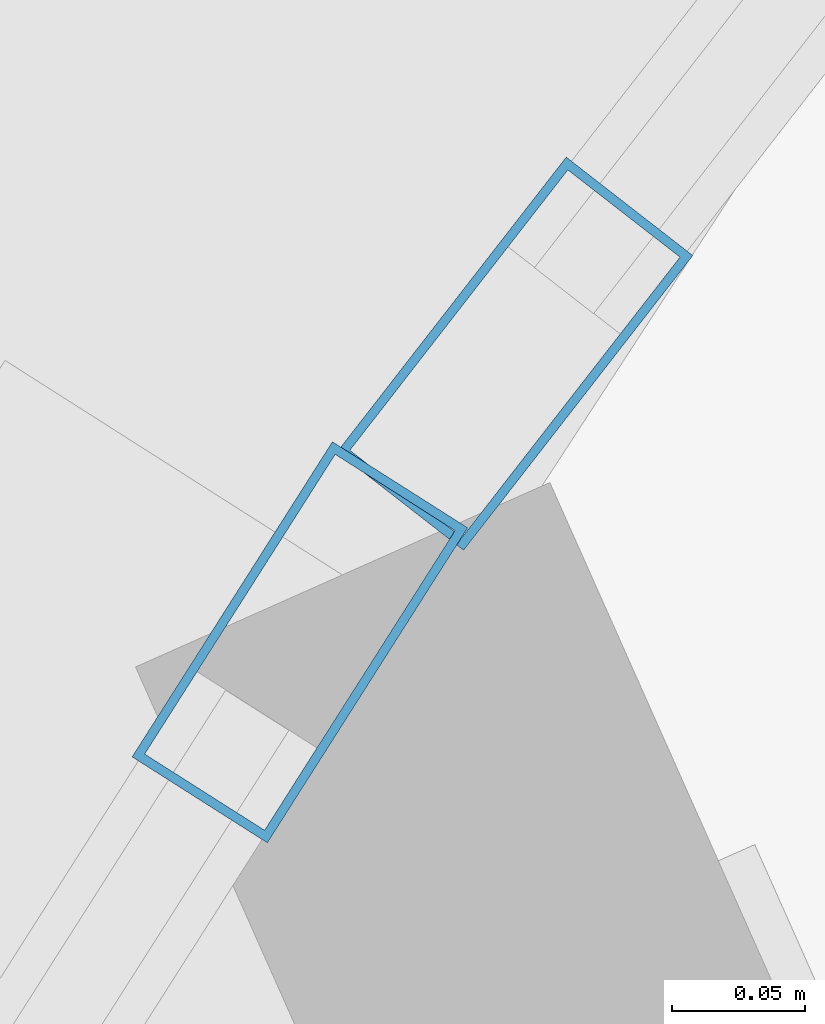
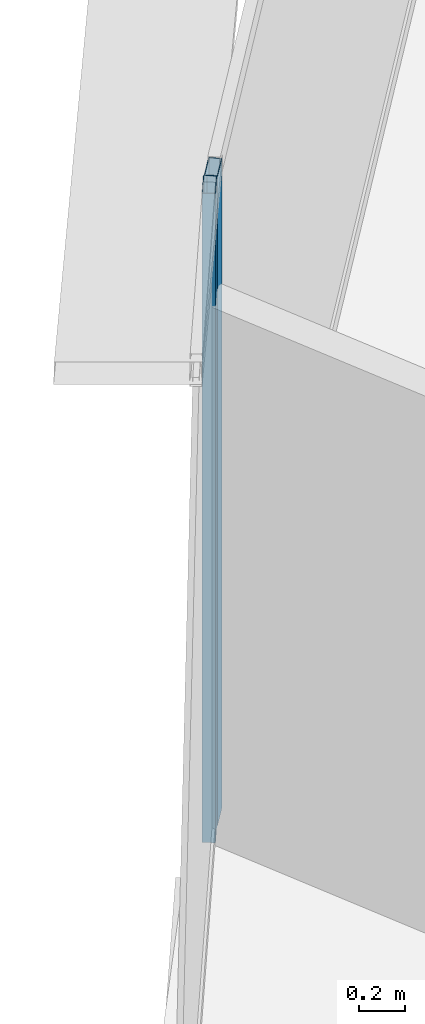
# One storey, part 20 of 33: 2 members, 2 elements without a shape of their own.
"""IFC4 building model written with IfcOpenShell, lengths in metres."""

import ifcopenshell
import ifcopenshell.guid

model = None  # the IFC model being written
_history = None  # IfcOwnerHistory: only IFC2X3 demands one
_inside = {}  # id of a spatial element -> (the spatial element, [elements in it])
_under = {}  # id of a project, library or spatial element -> (it, [spatial elements below it])
_declared = {}  # id of a project -> (the project, [libraries it declares])
_typed = {}  # id of a type object -> (the type object, [elements of that type])
_made_of = {}  # id of a material, layer set ... -> (it, [elements and type objects made of it])


def new_model(schema):
    """Start an empty IFC model of exactly this schema.

    Asked for "IFC4X3", IfcOpenShell would pick the latest addendum, in which some entities
    have other attributes; the version numbers below select the first issue.
    IFC2X3 requires an IfcOwnerHistory on every rooted entity: one is made here for all.
    """
    global model, _history
    if schema == "IFC4X3":
        model = ifcopenshell.file(schema_version=(4, 3, 0, 0))
    else:
        model = ifcopenshell.file(schema=schema)
    _inside.clear()
    _under.clear()
    _declared.clear()
    _typed.clear()
    _made_of.clear()
    _history = None
    if model.schema == "IFC2X3":
        org = make("IfcOrganization", Name="unknown")
        user = make(
            "IfcPersonAndOrganization",
            ThePerson=make("IfcPerson", FamilyName="unknown"),
            TheOrganization=org,
        )
        app = make(
            "IfcApplication",
            ApplicationDeveloper=org,
            Version="unknown",
            ApplicationFullName="unknown",
            ApplicationIdentifier="unknown",
        )
        _history = make(
            "IfcOwnerHistory",
            OwningUser=user,
            OwningApplication=app,
            ChangeAction="ADDED",
            CreationDate=0,
        )
    return model


def make(cls, **values):
    """One entity of the class cls with the attributes given. An attribute that is None is left unset."""
    return model.create_entity(
        cls, **{name: value for name, value in values.items() if value is not None}
    )


def rooted(cls, **values):
    """An entity with a GlobalId (a new one), such as an element, a storey or a relation."""
    return make(cls, GlobalId=ifcopenshell.guid.new(), OwnerHistory=_history, **values)


def si_unit(unit_type, name, prefix=None):
    """IfcSIUnit, for example si_unit("LENGTHUNIT", "METRE", prefix="MILLI")."""
    return make("IfcSIUnit", UnitType=unit_type, Prefix=prefix, Name=name)


def assignment(units):
    """IfcUnitAssignment: the units of a project."""
    return None if units is None else make("IfcUnitAssignment", Units=units)


def point(xyz):
    """IfcCartesianPoint."""
    return None if xyz is None else make("IfcCartesianPoint", Coordinates=xyz)


def direction(xyz):
    """IfcDirection."""
    return None if xyz is None else make("IfcDirection", DirectionRatios=xyz)


def frame(location, z_axis=None, x_axis=None):
    """IfcAxis2Placement3D, a coordinate frame: its origin and axes. An axis left out is left unset."""
    return make(
        "IfcAxis2Placement3D",
        Location=point(location),
        Axis=direction(z_axis),
        RefDirection=direction(x_axis),
    )


def frame_2d(location, x_axis=None):
    """IfcAxis2Placement2D, a coordinate frame in the plane: its origin and x axis."""
    return make(
        "IfcAxis2Placement2D", Location=point(location), RefDirection=direction(x_axis)
    )


def origin():
    """The frame at (0, 0, 0) with its axes left unset."""
    return frame((0.0, 0.0, 0.0))


def origin_2d():
    """The frame at (0, 0) in the plane with its x axis left unset."""
    return frame_2d((0.0, 0.0))


def place(relative_to, where):
    """IfcLocalPlacement: puts the frame where relative to a parent placement (None: the world)."""
    return make(
        "IfcLocalPlacement", PlacementRelTo=relative_to, RelativePlacement=where
    )


def context(
    kind, dimensions, precision=None, world=None, true_north=None, identifier=None
):
    """IfcGeometricRepresentationContext, for example the 3D "Model" context."""
    return make(
        "IfcGeometricRepresentationContext",
        ContextIdentifier=identifier,
        ContextType=kind,
        CoordinateSpaceDimension=dimensions,
        Precision=precision,
        WorldCoordinateSystem=world,
        TrueNorth=true_north,
    )


def subcontext(parent, identifier, kind, view, scale=None):
    """IfcGeometricRepresentationSubContext, for example "Body" below "Model"."""
    return make(
        "IfcGeometricRepresentationSubContext",
        ContextIdentifier=identifier,
        ContextType=kind,
        ParentContext=parent,
        TargetScale=scale,
        TargetView=view,
    )


def project(units=None, contexts=None):
    """IfcProject with its units and contexts."""
    return rooted(
        "IfcProject",
        Name="project",
        RepresentationContexts=contexts,
        UnitsInContext=assignment(units),
    )


def spatial(cls, under=None, at=None, **own):
    """A site, building, storey or space (cls), placed at a placement, below another one or the project."""
    s = rooted(cls, ObjectPlacement=at, **own)
    if under is not None:
        _under.setdefault(under.id(), (under, []))[1].append(s)
    return s


def profile(cls, at=None, kind="AREA", **sizes):
    """A parametric profile (cls). Its sizes go by their IFC names, for example OverallWidth=200.0."""
    return make(cls, ProfileType=kind, Position=at, **sizes)


def hollow_rectangle(**sizes):
    """IfcRectangleHollowProfileDef."""
    return profile("IfcRectangleHollowProfileDef", **sizes)


def extrude(swept, where, along, depth):
    """IfcExtrudedAreaSolid: the profile swept, set in the frame where, extruded along a direction by depth."""
    return make(
        "IfcExtrudedAreaSolid",
        SweptArea=swept,
        Position=where,
        ExtrudedDirection=direction(along),
        Depth=depth,
    )


def shape(context_of_items, identifier, shape_type, items):
    """IfcShapeRepresentation: the items that make up one representation, for example the "Body"."""
    return make(
        "IfcShapeRepresentation",
        ContextOfItems=context_of_items,
        RepresentationIdentifier=identifier,
        RepresentationType=shape_type,
        Items=items,
    )


def source(mapping_origin, context_of_items, identifier, shape_type, items):
    """IfcRepresentationMap: a shape defined once, which mapped items show again and again."""
    return make(
        "IfcRepresentationMap",
        MappingOrigin=mapping_origin,
        MappedRepresentation=shape(context_of_items, identifier, shape_type, items),
    )


def transform(
    local_origin,
    x_axis=None,
    y_axis=None,
    z_axis=None,
    scale=None,
    scale2=None,
    scale3=None,
    uniform=True,
):
    """IfcCartesianTransformationOperator3D, or its non-uniform kind. x_axis, y_axis, z_axis: its Axis1, 2, 3."""
    if uniform:
        return make(
            "IfcCartesianTransformationOperator3D",
            Axis1=direction(x_axis),
            Axis2=direction(y_axis),
            LocalOrigin=point(local_origin),
            Scale=scale,
            Axis3=direction(z_axis),
        )
    return make(
        "IfcCartesianTransformationOperator3DnonUniform",
        Axis1=direction(x_axis),
        Axis2=direction(y_axis),
        LocalOrigin=point(local_origin),
        Scale=scale,
        Axis3=direction(z_axis),
        Scale2=scale2,
        Scale3=scale3,
    )


def mapped(mapping_source, mapping_target):
    """IfcMappedItem: shows the shape of a source again, moved by a transform."""
    return make(
        "IfcMappedItem", MappingSource=mapping_source, MappingTarget=mapping_target
    )


def material(Name=None, Category=None):
    """IfcMaterial."""
    return make("IfcMaterial", Name=Name, Category=Category)


def layer(
    of_material, thickness, ventilated=None, Name=None, Category=None, Priority=None
):
    """IfcMaterialLayer: one layer of a wall or slab, of a material (None: an air gap)."""
    return make(
        "IfcMaterialLayer",
        Material=of_material,
        LayerThickness=thickness,
        IsVentilated=ventilated,
        Name=Name,
        Category=Category,
        Priority=Priority,
    )


def layer_set(layers, Name=None):
    """IfcMaterialLayerSet."""
    return make("IfcMaterialLayerSet", MaterialLayers=layers, LayerSetName=Name)


def material_profile(
    of_material, cross_section, Name=None, Category=None, Priority=None
):
    """IfcMaterialProfile: a cross section and its material."""
    return make(
        "IfcMaterialProfile",
        Name=Name,
        Material=of_material,
        Profile=cross_section,
        Priority=Priority,
        Category=Category,
    )


def profile_set(profiles, Name=None, composite=None):
    """IfcMaterialProfileSet."""
    return make(
        "IfcMaterialProfileSet",
        Name=Name,
        MaterialProfiles=profiles,
        CompositeProfile=composite,
    )


def made_of(thing, what):
    """Note that an element or type object is made of a material, layer set ...; save() writes the relation."""
    if what is not None:
        _made_of.setdefault(what.id(), (what, []))[1].append(thing)
    return thing


def type_object(cls, material=None, **own):
    """A type object (cls), such as IfcWallType, which elements share."""
    return made_of(rooted(cls, **own), material)


def element(
    cls,
    number,
    at=None,
    inside=None,
    cuts=None,
    type_object=None,
    material=None,
    context=None,
    identifier="Body",
    shape_type=None,
    held_by="IfcProductDefinitionShape",
    body=None,
    shapes=None,
    **own,
):
    """One element of the class cls, such as IfcWall. Its Tag is "e" and its number.

    at: its placement. inside: the storey or other place that contains it. cuts: it is an
    opening in that element (IfcRelVoidsElement). A single representation is given by context,
    identifier, shape_type and body (its items); several are given by shapes. held_by: the class
    of the entity that holds the representations. save() writes the other relations.
    """
    e = rooted(cls, Tag="e%d" % number, ObjectPlacement=at, **own)
    if body is not None:
        shapes = [shape(context, identifier, shape_type, body)]
    if shapes is not None:
        e.Representation = make(held_by, Representations=shapes)
    if inside is not None:
        _inside.setdefault(inside.id(), (inside, []))[1].append(e)
    if cuts is not None:
        rooted(
            "IfcRelVoidsElement", RelatingBuildingElement=cuts, RelatedOpeningElement=e
        )
    if type_object is not None:
        _typed.setdefault(type_object.id(), (type_object, []))[1].append(e)
    return made_of(e, material)


def aggregate(whole, parts):
    """IfcRelAggregates: a whole, such as a stair, and the parts it consists of."""
    return rooted("IfcRelAggregates", RelatingObject=whole, RelatedObjects=parts)


def save(model, path):
    """Write the relations noted so far, then the file.

    IfcRelAggregates (storeys below a building ...), IfcRelContainedInSpatialStructure (elements
    in a storey), IfcRelDefinesByType, IfcRelAssociatesMaterial and IfcRelDeclares: one each for
    every whole, place, type object, material and project.
    """
    for whole, parts in _under.values():
        aggregate(whole, parts)
    for where, things in _inside.values():
        rooted(
            "IfcRelContainedInSpatialStructure",
            RelatedElements=things,
            RelatingStructure=where,
        )
    for kind, things in _typed.values():
        rooted("IfcRelDefinesByType", RelatedObjects=things, RelatingType=kind)
    for what, things in _made_of.values():
        rooted("IfcRelAssociatesMaterial", RelatedObjects=things, RelatingMaterial=what)
    for by, libraries in _declared.values():
        rooted("IfcRelDeclares", RelatingContext=by, RelatedDefinitions=libraries)
    model.write(path)


model = new_model("IFC4")

# Units and contexts
model_context = context("Model", 3, precision=1e-05, world=origin(), true_north=direction((0.0, 1.0)))
body_context = subcontext(model_context, "Body", "Model", "MODEL_VIEW")
ifc_project = project(units=[si_unit("LENGTHUNIT", "METRE"), si_unit("AREAUNIT", "SQUARE_METRE"), si_unit("VOLUMEUNIT", "CUBIC_METRE"), si_unit("PLANEANGLEUNIT", "RADIAN"), si_unit("MASSUNIT", "GRAM", prefix="KILO"), si_unit("THERMODYNAMICTEMPERATUREUNIT", "KELVIN"), si_unit("POWERUNIT", "WATT")], contexts=[model_context])

# Site, building, storey
site_placement = place(None, origin())
site = spatial("IfcSite", under=ifc_project, at=site_placement, CompositionType="ELEMENT")
building_placement = place(site_placement, origin())
building = spatial("IfcBuilding", under=site, at=building_placement, Name="Yunzhuo Pagoda Commons", CompositionType="ELEMENT")
storey_placement = place(building_placement, frame((0.0, 0.0, 307.39990234375)))
storey = spatial("IfcBuildingStorey", under=building, at=storey_placement, Name="L77", CompositionType="ELEMENT", Elevation=307.39990234375)

# Curtain wall, member
ifc_material = material(Name="Anodized aluminium 6063-T6", Category="aluminium")
ifc_layer = layer(ifc_material, 0.139892578125)
ifc_layer_set = layer_set([ifc_layer], Name="Anodized aluminium 6063-T6")
curtain_wall_type = type_object("IfcCurtainWallType", Name="CW-HI High-Zone Ribbon Curtain Wall", PredefinedType="NOTDEFINED", material=ifc_layer_set)
curtain_wall_1_placement = place(storey_placement, origin())
curtain_wall_1 = element("IfcCurtainWall", 1, at=curtain_wall_1_placement, inside=storey, type_object=curtain_wall_type, Name="L77 curtain wall CW-L77-F3B2", PredefinedType="NOTDEFINED")
ifc_material_profile = material_profile(ifc_material, hollow_rectangle(XDim=0.06005859375, YDim=0.139892578125, WallThickness=0.00341796875, at=origin_2d()), Name="Anodized aluminium 6063-T6")
ifc_profile_set = profile_set([ifc_material_profile], Name="Anodized aluminium 6063-T6")
member_type = type_object("IfcMemberType", Name="CW-HI-M Mullion RHS 140x60x3.5", PredefinedType="MULLION", material=ifc_profile_set)
shared_shape = source(origin(), body_context, "Body", "SweptSolid", [
    extrude(hollow_rectangle(XDim=0.06005859375, YDim=0.139892578125, WallThickness=0.00341796875, at=origin_2d()), origin(), (0.0, 0.0, 1.0), 3.47021484375),
])
member_1_placement = place(storey_placement, frame((35.119384765625, 62.56884765625, 0.0), z_axis=(0.0, 0.0, 1.0), x_axis=(0.843909804597, -0.536485080599, 0.0)))
member_1 = element("IfcMember", 2, at=member_1_placement, type_object=member_type, Name="CW mullion 1", PredefinedType="MULLION", context=body_context, shape_type="MappedRepresentation", body=[
    mapped(shared_shape, transform((0.0, 0.0, 0.0), scale=1.0)),
])
aggregate(curtain_wall_1, [member_1])

curtain_wall_2_placement = place(storey_placement, origin())
curtain_wall_2 = element("IfcCurtainWall", 3, at=curtain_wall_2_placement, inside=storey, type_object=curtain_wall_type, Name="L77 curtain wall CW-L77-F3B1", PredefinedType="NOTDEFINED")
member_2_placement = place(storey_placement, frame((35.199951171875, 62.677001953125, 0.0), z_axis=(0.0, 0.0, 1.0), x_axis=(0.78943032712, -0.613840173517, 0.0)))
member_2 = element("IfcMember", 4, at=member_2_placement, type_object=member_type, Name="CW mullion 2", PredefinedType="MULLION", context=body_context, shape_type="MappedRepresentation", body=[
    mapped(shared_shape, transform((0.0, 0.0, 0.0), scale=1.0)),
])
aggregate(curtain_wall_2, [member_2])

save(model, "model.ifc")
